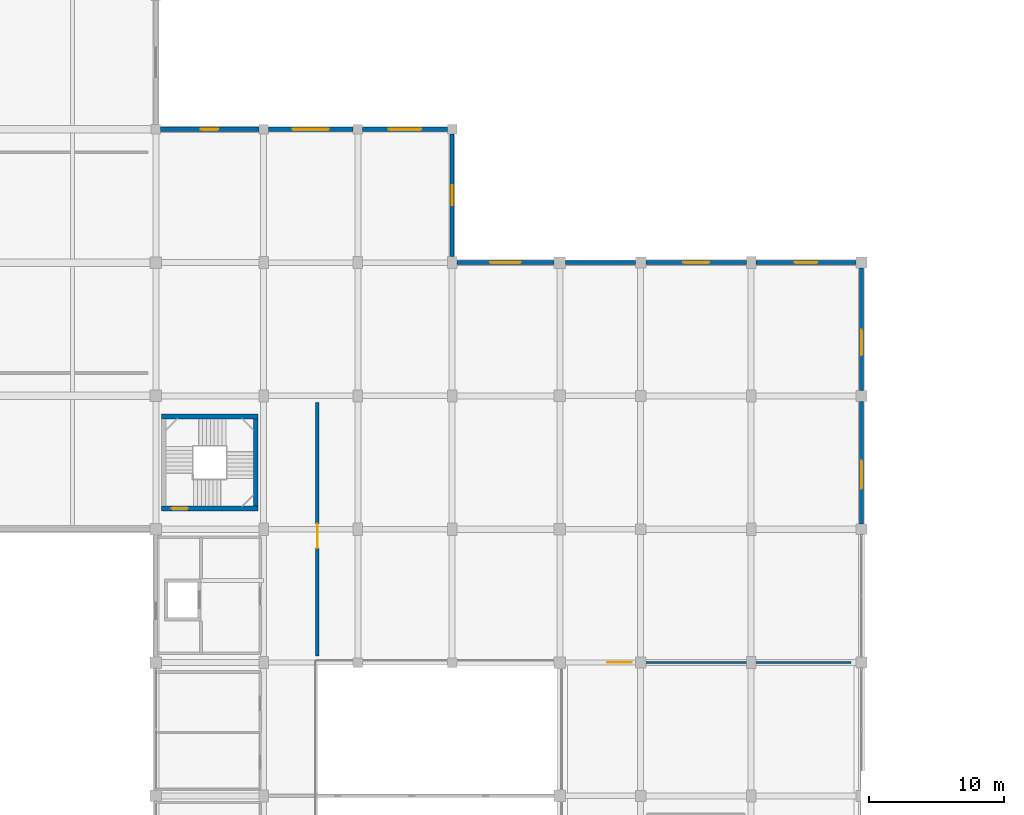
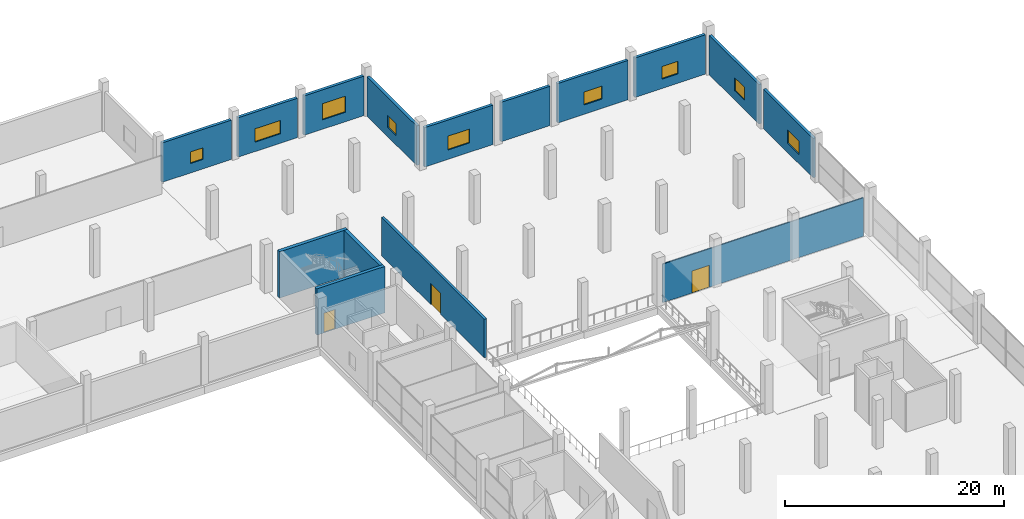
# One storey, part 47 of 74: 15 walls, 9 windows, 3 doors, 12 openings.
"""IFC4 building model written with IfcOpenShell, lengths in metres."""

from ifc_helpers import new_model, si_unit, direction, frame, frame_2d, origin, place, context, subcontext, project, spatial, rectangle, extrude, material, layer, layer_set, type_object, element, fill, save


model = new_model("IFC4")

# Units and contexts
model_context = context("Model", 3, precision=1e-05, world=origin(), true_north=direction((0.0, 1.0)))
body_context = subcontext(model_context, "Body", "Model", "MODEL_VIEW")
ifc_project = project(units=[si_unit("LENGTHUNIT", "METRE"), si_unit("AREAUNIT", "SQUARE_METRE"), si_unit("VOLUMEUNIT", "CUBIC_METRE"), si_unit("PLANEANGLEUNIT", "RADIAN"), si_unit("MASSUNIT", "GRAM", prefix="KILO")], contexts=[model_context])

# Site, building, storey
site_placement = place(None, origin())
site = spatial("IfcSite", under=ifc_project, at=site_placement, CompositionType="ELEMENT")
building_placement = place(site_placement, origin())
building = spatial("IfcBuilding", under=site, at=building_placement, Name="Sillaruma Civic Art Gallery", CompositionType="ELEMENT")
storey_placement = place(building_placement, frame((0.0, 0.0, 5.43994140625)))
storey = spatial("IfcBuildingStorey", under=building, at=storey_placement, Name="L01", CompositionType="ELEMENT", Elevation=5.43994140625)

# Wall, opening, door
ifc_material_1 = material(Name="Concrete H40 (40 MPa)", Category="concrete")
ifc_layer_1 = layer(ifc_material_1, 0.35009765625, Name="Concrete H40 (40 MPa)")
ifc_layer_set_1 = layer_set([ifc_layer_1], Name="Concrete H40 (40 MPa)")
wall_type_1 = type_object("IfcWallType", Name="WAL-CORE-350", PredefinedType="SHEAR", material=ifc_layer_set_1)
wall_1_placement = place(storey_placement, frame((62.409912109375, 80.735107421875, 0.0), z_axis=(0.0, 0.0, 1.0), x_axis=(1.0, 0.0, 0.0)))
wall_1 = element("IfcWall", 1, at=wall_1_placement, inside=storey, type_object=wall_type_1, Name="Stair Core Shear Wall W-CORE-350 (ST-02:L01:S)", PredefinedType="SHEAR", context=body_context, shape_type="SweptSolid", body=[
    extrude(rectangle(XDim=7.18017578125, YDim=0.35009765625, at=frame_2d((3.590087890625, 0.0))), origin(), (0.0, 0.0, 1.0), 5.18017578125),
])
opening_1_placement = place(wall_1_placement, frame((0.77001953125, 0.0, 0.0)))
opening_1 = element("IfcOpeningElement", 2, at=opening_1_placement, cuts=wall_1, Name="Opening D-STAIR", PredefinedType="OPENING", context=body_context, shape_type="SweptSolid", body=[
    extrude(rectangle(XDim=1.199951171875, YDim=2.199951171875, at=frame_2d((0.60009765625, 1.10009765625))), frame((0.0, 0.18505859375, 0.0), z_axis=(0.0, -1.0, 0.0), x_axis=(1.0, 0.0, 0.0)), (0.0, 0.0, 1.0), 0.3701171875),
])
ifc_material_2 = material(Name="Galvanised Steel ASTM A653 Gr.50", Category="steel")
door_type_1 = type_object("IfcDoorType", Name="DOR-STAIR-120", OperationType="NOTDEFINED", PredefinedType="DOOR", material=ifc_material_2)
door_1_placement = place(opening_1_placement, origin())
door_1 = element("IfcDoor", 3, at=door_1_placement, inside=storey, type_object=door_type_1, Name="Protected Stair Fire Door (ST-02:L01)", OperationType="SINGLE_SWING_LEFT", OverallHeight=2.199951171875, OverallWidth=1.199951171875, PredefinedType="DOOR", context=body_context, shape_type="SweptSolid", body=[
    extrude(rectangle(XDim=1.199951171875, YDim=2.199951171875, at=frame_2d((0.60009765625, 1.10009765625))), frame((0.0, 0.02490234375, 0.0), z_axis=(0.0, -1.0, 0.0), x_axis=(1.0, 0.0, 0.0)), (0.0, 0.0, 1.0), 0.050048828125),
])
fill(opening_1, door_1)

# Walls
wall_2_placement = place(storey_placement, frame((62.409912109375, 87.56494140625, 0.0), z_axis=(0.0, 0.0, 1.0), x_axis=(1.0, 0.0, 0.0)))
element("IfcWall", 4, at=wall_2_placement, inside=storey, type_object=wall_type_1, Name="Stair Core Shear Wall W-CORE-350 (ST-02:L01:N)", PredefinedType="SHEAR", context=body_context, shape_type="SweptSolid", body=[
    extrude(rectangle(XDim=7.18017578125, YDim=0.35009765625, at=frame_2d((3.590087890625, 0.0))), origin(), (0.0, 0.0, 1.0), 5.18017578125),
])
wall_3_placement = place(storey_placement, frame((69.4150390625, 80.909912109375, 0.0), z_axis=(0.0, 0.0, 1.0), x_axis=(0.0, 1.0, 0.0)))
element("IfcWall", 5, at=wall_3_placement, inside=storey, type_object=wall_type_1, Name="Stair Core Shear Wall W-CORE-350 (ST-02:L01:E)", PredefinedType="SHEAR", context=body_context, shape_type="SweptSolid", body=[
    extrude(rectangle(XDim=6.47998046875, YDim=0.35009765625, at=frame_2d((3.239990234375, 0.0))), origin(), (0.0, 0.0, 1.0), 5.18017578125),
])

# Wall, opening, window
ifc_material_3 = material(Name="Concrete H35 (35 MPa)", Category="concrete")
ifc_layer_2 = layer(ifc_material_3, 0.159912109375, Name="Concrete backup", Category="concrete")
ifc_material_4 = material(Name="Mineral Wool Thermal Insulation", Category="insulation")
ifc_layer_3 = layer(ifc_material_4, 0.090087890625, Name="Thermal insulation", Category="insulation")
ifc_material_5 = material(Name="Anodised Zinc-Aluminium Alloy", Category="aluminium")
ifc_layer_4 = layer(ifc_material_5, 0.030029296875, Name="Rainscreen finish", Category="aluminium")
ifc_layer_set_2 = layer_set([ifc_layer_2, ifc_layer_3, ifc_layer_4], Name="W-EXT-280")
wall_type_2 = type_object("IfcWallType", Name="WAL-EXT-280", PredefinedType="SOLIDWALL", material=ifc_layer_set_2)
wall_4_placement = place(storey_placement, frame((114.39990234375, 79.60009765625, 0.0), z_axis=(0.0, 0.0, 1.0), x_axis=(0.0, 1.0, 0.0)))
wall_4 = element("IfcWall", 6, at=wall_4_placement, inside=storey, type_object=wall_type_2, Name="Exterior Wall W-EXT-280 (EW-L01-SPE-7)", PredefinedType="SOLIDWALL", context=body_context, shape_type="SweptSolid", body=[
    extrude(rectangle(XDim=9.099853515625, YDim=0.280029296875, at=frame_2d((4.5498046875, 0.0))), origin(), (0.0, 0.0, 1.0), 4.400146484375),
])
opening_2_placement = place(wall_4_placement, frame((2.60009765625, 0.0, 1.050048828125)))
opening_2 = element("IfcOpeningElement", 7, at=opening_2_placement, cuts=wall_4, Name="Opening WN-13", PredefinedType="OPENING", context=body_context, shape_type="SweptSolid", body=[
    extrude(rectangle(XDim=2.10009765625, YDim=1.5, at=frame_2d((1.050048828125, 0.75))), frame((0.0, 0.14990234375, 0.0), z_axis=(0.0, -1.0, 0.0), x_axis=(1.0, 0.0, 0.0)), (0.0, 0.0, 1.0), 0.300048828125),
])
ifc_material_6 = material(Name="Thermally Broken Extruded Aluminium 6063-T6", Category="aluminium")
window_type_1 = type_object("IfcWindowType", Name="WIN-W13", PartitioningType="SINGLE_PANEL", PredefinedType="WINDOW", material=ifc_material_6)
window_1_placement = place(opening_2_placement, origin())
window_1 = element("IfcWindow", 8, at=window_1_placement, inside=storey, type_object=window_type_1, Name="Window WN-13 (EW-L01-SPE-7-1)", OverallHeight=1.5, OverallWidth=2.10009765625, PartitioningType="SINGLE_PANEL", PredefinedType="WINDOW", context=body_context, shape_type="SweptSolid", body=[
    extrude(rectangle(XDim=2.10009765625, YDim=1.5, at=frame_2d((1.050048828125, 0.75))), frame((0.0, 0.030029296875, 0.0), z_axis=(0.0, -1.0, 0.0), x_axis=(1.0, 0.0, 0.0)), (0.0, 0.0, 1.0), 0.06005859375),
])
fill(opening_2, window_1)

wall_5_placement = place(storey_placement, frame((114.39990234375, 89.5, 0.0), z_axis=(0.0, 0.0, 1.0), x_axis=(0.0, 1.0, 0.0)))
wall_5 = element("IfcWall", 9, at=wall_5_placement, inside=storey, type_object=wall_type_2, Name="Exterior Wall W-EXT-280 (EW-L01-SPE-8)", PredefinedType="SOLIDWALL", context=body_context, shape_type="SweptSolid", body=[
    extrude(rectangle(XDim=9.10009765625, YDim=0.280029296875, at=frame_2d((4.550048828125, 0.0))), origin(), (0.0, 0.0, 1.0), 4.400146484375),
])
opening_3_placement = place(wall_5_placement, frame((2.60009765625, 0.0, 1.050048828125)))
opening_3 = element("IfcOpeningElement", 10, at=opening_3_placement, cuts=wall_5, Name="Opening WN-14", PredefinedType="OPENING", context=body_context, shape_type="SweptSolid", body=[
    extrude(rectangle(XDim=1.89990234375, YDim=1.449951171875, at=frame_2d((0.949951171875, 0.72509765625))), frame((0.0, 0.14990234375, 0.0), z_axis=(0.0, -1.0, 0.0), x_axis=(1.0, 0.0, 0.0)), (0.0, 0.0, 1.0), 0.300048828125),
])
window_type_2 = type_object("IfcWindowType", Name="WIN-W14", PartitioningType="SINGLE_PANEL", PredefinedType="WINDOW", material=ifc_material_6)
window_2_placement = place(opening_3_placement, origin())
window_2 = element("IfcWindow", 11, at=window_2_placement, inside=storey, type_object=window_type_2, Name="Window WN-14 (EW-L01-SPE-8-1)", OverallHeight=1.449951171875, OverallWidth=1.89990234375, PartitioningType="SINGLE_PANEL", PredefinedType="WINDOW", context=body_context, shape_type="SweptSolid", body=[
    extrude(rectangle(XDim=1.89990234375, YDim=1.449951171875, at=frame_2d((0.949951171875, 0.72509765625))), frame((0.0, 0.030029296875, 0.0), z_axis=(0.0, -1.0, 0.0), x_axis=(1.0, 0.0, 0.0)), (0.0, 0.0, 1.0), 0.06005859375),
])
fill(opening_3, window_2)

ifc_material_7 = material(Name="Precast Concrete H35 (35 MPa)", Category="concrete")
ifc_layer_5 = layer(ifc_material_7, 0.179931640625, Name="Precast backup", Category="concrete")
ifc_layer_6 = layer(ifc_material_4, 0.090087890625, Name="Thermal insulation", Category="insulation")
ifc_material_8 = material(Name="Comanche Granitic Ashlar Stone", Category="masonry")
ifc_layer_7 = layer(ifc_material_8, 0.030029296875, Name="Rainscreen cladding", Category="masonry")
ifc_layer_set_3 = layer_set([ifc_layer_5, ifc_layer_6, ifc_layer_7], Name="W-EXT-300")
wall_type_3 = type_object("IfcWallType", Name="WAL-EXT-300", PredefinedType="SOLIDWALL", material=ifc_layer_set_3)
wall_6_placement = place(storey_placement, frame((84.35009765625, 99.0, 0.0), z_axis=(0.0, 0.0, 1.0), x_axis=(1.0, 0.0, 0.0)))
wall_6 = element("IfcWall", 12, at=wall_6_placement, inside=storey, type_object=wall_type_3, Name="Exterior Wall W-EXT-300 (EW-L01-PNE-JK)", PredefinedType="SOLIDWALL", context=body_context, shape_type="SweptSolid", body=[
    extrude(rectangle(XDim=7.224853515625, YDim=0.300048828125, at=frame_2d((3.6123046875, 0.0))), origin(), (0.0, 0.0, 1.0), 4.400146484375),
])
opening_4_placement = place(wall_6_placement, frame((2.4619140625, 0.0, 1.050048828125)))
opening_4 = element("IfcOpeningElement", 13, at=opening_4_placement, cuts=wall_6, Name="Opening WN-12", PredefinedType="OPENING", context=body_context, shape_type="SweptSolid", body=[
    extrude(rectangle(XDim=2.300048828125, YDim=1.550048828125, at=frame_2d((1.14990234375, 0.77490234375))), frame((0.0, 0.159912109375, 0.0), z_axis=(0.0, -1.0, 0.0), x_axis=(1.0, 0.0, 0.0)), (0.0, 0.0, 1.0), 0.320068359375),
])
window_type_3 = type_object("IfcWindowType", Name="WIN-W12", PartitioningType="SINGLE_PANEL", PredefinedType="WINDOW", material=ifc_material_6)
window_3_placement = place(opening_4_placement, origin())
window_3 = element("IfcWindow", 14, at=window_3_placement, inside=storey, type_object=window_type_3, Name="Window WN-12 (EW-L01-PNE-JK-1)", OverallHeight=1.550048828125, OverallWidth=2.300048828125, PartitioningType="SINGLE_PANEL", PredefinedType="WINDOW", context=body_context, shape_type="SweptSolid", body=[
    extrude(rectangle(XDim=2.300048828125, YDim=1.550048828125, at=frame_2d((1.14990234375, 0.77490234375))), frame((0.0, 0.030029296875, 0.0), z_axis=(0.0, -1.0, 0.0), x_axis=(1.0, 0.0, 0.0)), (0.0, 0.0, 1.0), 0.06005859375),
])
fill(opening_4, window_3)

# Wall
wall_7_placement = place(storey_placement, frame((92.425048828125, 99.0, 0.0), z_axis=(0.0, 0.0, 1.0), x_axis=(1.0, 0.0, 0.0)))
element("IfcWall", 15, at=wall_7_placement, inside=storey, type_object=wall_type_3, Name="Exterior Wall W-EXT-300 (EW-L01-PNE-KL)", PredefinedType="SOLIDWALL", context=body_context, shape_type="SweptSolid", body=[
    extrude(rectangle(XDim=5.175048828125, YDim=0.300048828125, at=frame_2d((2.58740234375, 0.0))), origin(), (0.0, 0.0, 1.0), 4.400146484375),
])

# Wall, opening, window
wall_8_placement = place(storey_placement, frame((98.39990234375, 99.0, 0.0), z_axis=(0.0, 0.0, 1.0), x_axis=(1.0, 0.0, 0.0)))
wall_8 = element("IfcWall", 16, at=wall_8_placement, inside=storey, type_object=wall_type_3, Name="Exterior Wall W-EXT-300 (EW-L01-PNE-LM)", PredefinedType="SOLIDWALL", context=body_context, shape_type="SweptSolid", body=[
    extrude(rectangle(XDim=7.4501953125, YDim=0.300048828125, at=frame_2d((3.72509765625, 0.0))), origin(), (0.0, 0.0, 1.0), 4.400146484375),
])
opening_5_placement = place(wall_8_placement, frame((2.77490234375, 0.0, 1.050048828125)))
opening_5 = element("IfcOpeningElement", 17, at=opening_5_placement, cuts=wall_8, Name="Opening WN-14", PredefinedType="OPENING", context=body_context, shape_type="SweptSolid", body=[
    extrude(rectangle(XDim=1.89990234375, YDim=1.449951171875, at=frame_2d((0.949951171875, 0.72509765625))), frame((0.0, 0.159912109375, 0.0), z_axis=(0.0, -1.0, 0.0), x_axis=(1.0, 0.0, 0.0)), (0.0, 0.0, 1.0), 0.320068359375),
])
window_4_placement = place(opening_5_placement, origin())
window_4 = element("IfcWindow", 18, at=window_4_placement, inside=storey, type_object=window_type_2, Name="Window WN-14 (EW-L01-PNE-LM-1)", OverallHeight=1.449951171875, OverallWidth=1.89990234375, PartitioningType="SINGLE_PANEL", PredefinedType="WINDOW", context=body_context, shape_type="SweptSolid", body=[
    extrude(rectangle(XDim=1.89990234375, YDim=1.449951171875, at=frame_2d((0.949951171875, 0.72509765625))), frame((0.0, 0.030029296875, 0.0), z_axis=(0.0, -1.0, 0.0), x_axis=(1.0, 0.0, 0.0)), (0.0, 0.0, 1.0), 0.06005859375),
])
fill(opening_5, window_4)

wall_9_placement = place(storey_placement, frame((106.550048828125, 99.0, 0.0), z_axis=(0.0, 0.0, 1.0), x_axis=(1.0, 0.0, 0.0)))
wall_9 = element("IfcWall", 19, at=wall_9_placement, inside=storey, type_object=wall_type_3, Name="Exterior Wall W-EXT-300 (EW-L01-PNE-MN)", PredefinedType="SOLIDWALL", context=body_context, shape_type="SweptSolid", body=[
    extrude(rectangle(XDim=7.449951171875, YDim=0.300048828125, at=frame_2d((3.72509765625, 0.0))), origin(), (0.0, 0.0, 1.0), 4.400146484375),
])
opening_6_placement = place(wall_9_placement, frame((2.875, 0.0, 1.050048828125)))
opening_6 = element("IfcOpeningElement", 20, at=opening_6_placement, cuts=wall_9, Name="Opening WN-15", PredefinedType="OPENING", context=body_context, shape_type="SweptSolid", body=[
    extrude(rectangle(XDim=1.699951171875, YDim=1.39990234375, at=frame_2d((0.85009765625, 0.699951171875))), frame((0.0, 0.159912109375, 0.0), z_axis=(0.0, -1.0, 0.0), x_axis=(1.0, 0.0, 0.0)), (0.0, 0.0, 1.0), 0.320068359375),
])
window_type_4 = type_object("IfcWindowType", Name="WIN-W15", PartitioningType="SINGLE_PANEL", PredefinedType="WINDOW", material=ifc_material_6)
window_5_placement = place(opening_6_placement, origin())
window_5 = element("IfcWindow", 21, at=window_5_placement, inside=storey, type_object=window_type_4, Name="Window WN-15 (EW-L01-PNE-MN-1)", OverallHeight=1.39990234375, OverallWidth=1.699951171875, PartitioningType="SINGLE_PANEL", PredefinedType="WINDOW", context=body_context, shape_type="SweptSolid", body=[
    extrude(rectangle(XDim=1.699951171875, YDim=1.39990234375, at=frame_2d((0.85009765625, 0.699951171875))), frame((0.0, 0.030029296875, 0.0), z_axis=(0.0, -1.0, 0.0), x_axis=(1.0, 0.0, 0.0)), (0.0, 0.0, 1.0), 0.06005859375),
])
fill(opening_6, window_5)

wall_10_placement = place(storey_placement, frame((84.0, 99.449951171875, 0.0), z_axis=(0.0, 0.0, 1.0), x_axis=(0.0, 1.0, 0.0)))
wall_10 = element("IfcWall", 22, at=wall_10_placement, inside=storey, type_object=wall_type_3, Name="Exterior Wall W-EXT-300 (EW-L01-PNE-W)", PredefinedType="SOLIDWALL", context=body_context, shape_type="SweptSolid", body=[
    extrude(rectangle(XDim=9.10009765625, YDim=0.300048828125, at=frame_2d((4.550048828125, 0.0))), origin(), (0.0, 0.0, 1.0), 4.400146484375),
])
opening_7_placement = place(wall_10_placement, frame((3.800048828125, 0.0, 1.050048828125)))
opening_7 = element("IfcOpeningElement", 23, at=opening_7_placement, cuts=wall_10, Name="Opening WN-16", PredefinedType="OPENING", context=body_context, shape_type="SweptSolid", body=[
    extrude(rectangle(XDim=1.5, YDim=1.35009765625, at=frame_2d((0.75, 0.675048828125))), frame((0.0, 0.159912109375, 0.0), z_axis=(0.0, -1.0, 0.0), x_axis=(1.0, 0.0, 0.0)), (0.0, 0.0, 1.0), 0.320068359375),
])
window_type_5 = type_object("IfcWindowType", Name="WIN-W16", PartitioningType="SINGLE_PANEL", PredefinedType="WINDOW", material=ifc_material_6)
window_6_placement = place(opening_7_placement, origin())
window_6 = element("IfcWindow", 24, at=window_6_placement, inside=storey, type_object=window_type_5, Name="Window WN-16 (EW-L01-PNE-W-1)", OverallHeight=1.35009765625, OverallWidth=1.5, PartitioningType="SINGLE_PANEL", PredefinedType="WINDOW", context=body_context, shape_type="SweptSolid", body=[
    extrude(rectangle(XDim=1.5, YDim=1.35009765625, at=frame_2d((0.75, 0.675048828125))), frame((0.0, 0.030029296875, 0.0), z_axis=(0.0, -1.0, 0.0), x_axis=(1.0, 0.0, 0.0)), (0.0, 0.0, 1.0), 0.06005859375),
])
fill(opening_7, window_6)

wall_11_placement = place(storey_placement, frame((62.35009765625, 108.89990234375, 0.0), z_axis=(0.0, 0.0, 1.0), x_axis=(1.0, 0.0, 0.0)))
wall_11 = element("IfcWall", 25, at=wall_11_placement, inside=storey, type_object=wall_type_3, Name="Exterior Wall W-EXT-300 (EW-L01-PNW-FG)", PredefinedType="SOLIDWALL", context=body_context, shape_type="SweptSolid", body=[
    extrude(rectangle(XDim=7.2998046875, YDim=0.300048828125, at=frame_2d((3.64990234375, 0.0))), origin(), (0.0, 0.0, 1.0), 4.400146484375),
])
opening_8_placement = place(wall_11_placement, frame((3.0, 0.0, 1.050048828125)))
opening_8 = element("IfcOpeningElement", 26, at=opening_8_placement, cuts=wall_11, Name="Opening WN-17", PredefinedType="OPENING", context=body_context, shape_type="SweptSolid", body=[
    extrude(rectangle(XDim=1.300048828125, YDim=1.300048828125, at=frame_2d((0.64990234375, 0.64990234375))), frame((0.0, 0.159912109375, 0.0), z_axis=(0.0, -1.0, 0.0), x_axis=(1.0, 0.0, 0.0)), (0.0, 0.0, 1.0), 0.320068359375),
])
window_type_6 = type_object("IfcWindowType", Name="WIN-W17", PartitioningType="SINGLE_PANEL", PredefinedType="WINDOW", material=ifc_material_6)
window_7_placement = place(opening_8_placement, origin())
window_7 = element("IfcWindow", 27, at=window_7_placement, inside=storey, type_object=window_type_6, Name="Window WN-17 (EW-L01-PNW-FG-1)", OverallHeight=1.300048828125, OverallWidth=1.300048828125, PartitioningType="SINGLE_PANEL", PredefinedType="WINDOW", context=body_context, shape_type="SweptSolid", body=[
    extrude(rectangle(XDim=1.300048828125, YDim=1.300048828125, at=frame_2d((0.64990234375, 0.64990234375))), frame((0.0, 0.030029296875, 0.0), z_axis=(0.0, -1.0, 0.0), x_axis=(1.0, 0.0, 0.0)), (0.0, 0.0, 1.0), 0.06005859375),
])
fill(opening_8, window_7)

wall_12_placement = place(storey_placement, frame((70.35009765625, 108.89990234375, 0.0), z_axis=(0.0, 0.0, 1.0), x_axis=(1.0, 0.0, 0.0)))
wall_12 = element("IfcWall", 28, at=wall_12_placement, inside=storey, type_object=wall_type_3, Name="Exterior Wall W-EXT-300 (EW-L01-PNW-GH)", PredefinedType="SOLIDWALL", context=body_context, shape_type="SweptSolid", body=[
    extrude(rectangle(XDim=6.2998046875, YDim=0.300048828125, at=frame_2d((3.14990234375, 0.0))), origin(), (0.0, 0.0, 1.0), 4.400146484375),
])
opening_9_placement = place(wall_12_placement, frame((1.800048828125, 0.0, 1.050048828125)))
opening_9 = element("IfcOpeningElement", 29, at=opening_9_placement, cuts=wall_12, Name="Opening WN-18", PredefinedType="OPENING", context=body_context, shape_type="SweptSolid", body=[
    extrude(rectangle(XDim=2.699951171875, YDim=1.5, at=frame_2d((1.35009765625, 0.75))), frame((0.0, 0.159912109375, 0.0), z_axis=(0.0, -1.0, 0.0), x_axis=(1.0, 0.0, 0.0)), (0.0, 0.0, 1.0), 0.320068359375),
])
window_type_7 = type_object("IfcWindowType", Name="WIN-W18", PartitioningType="SINGLE_PANEL", PredefinedType="WINDOW", material=ifc_material_6)
window_8_placement = place(opening_9_placement, origin())
window_8 = element("IfcWindow", 30, at=window_8_placement, inside=storey, type_object=window_type_7, Name="Window WN-18 (EW-L01-PNW-GH-1)", OverallHeight=1.5, OverallWidth=2.699951171875, PartitioningType="SINGLE_PANEL", PredefinedType="WINDOW", context=body_context, shape_type="SweptSolid", body=[
    extrude(rectangle(XDim=2.699951171875, YDim=1.5, at=frame_2d((1.35009765625, 0.75))), frame((0.0, 0.030029296875, 0.0), z_axis=(0.0, -1.0, 0.0), x_axis=(1.0, 0.0, 0.0)), (0.0, 0.0, 1.0), 0.06005859375),
])
fill(opening_9, window_8)

wall_13_placement = place(storey_placement, frame((77.35009765625, 108.89990234375, 0.0), z_axis=(0.0, 0.0, 1.0), x_axis=(1.0, 0.0, 0.0)))
wall_13 = element("IfcWall", 31, at=wall_13_placement, inside=storey, type_object=wall_type_3, Name="Exterior Wall W-EXT-300 (EW-L01-PNW-HJ)", PredefinedType="SOLIDWALL", context=body_context, shape_type="SweptSolid", body=[
    extrude(rectangle(XDim=6.2998046875, YDim=0.300048828125, at=frame_2d((3.14990234375, 0.0))), origin(), (0.0, 0.0, 1.0), 4.400146484375),
])
opening_10_placement = place(wall_13_placement, frame((1.949951171875, 0.0, 1.050048828125)))
opening_10 = element("IfcOpeningElement", 32, at=opening_10_placement, cuts=wall_13, Name="Opening WN-01", PredefinedType="OPENING", context=body_context, shape_type="SweptSolid", body=[
    extrude(rectangle(XDim=2.39990234375, YDim=1.800048828125, at=frame_2d((1.199951171875, 0.89990234375))), frame((0.0, 0.159912109375, 0.0), z_axis=(0.0, -1.0, 0.0), x_axis=(1.0, 0.0, 0.0)), (0.0, 0.0, 1.0), 0.320068359375),
])
window_type_8 = type_object("IfcWindowType", Name="WIN-W01", PartitioningType="SINGLE_PANEL", PredefinedType="WINDOW", material=ifc_material_6)
window_9_placement = place(opening_10_placement, origin())
window_9 = element("IfcWindow", 33, at=window_9_placement, inside=storey, type_object=window_type_8, Name="Window WN-01 (EW-L01-PNW-HJ-1)", OverallHeight=1.800048828125, OverallWidth=2.39990234375, PartitioningType="SINGLE_PANEL", PredefinedType="WINDOW", context=body_context, shape_type="SweptSolid", body=[
    extrude(rectangle(XDim=2.39990234375, YDim=1.800048828125, at=frame_2d((1.199951171875, 0.89990234375))), frame((0.0, 0.030029296875, 0.0), z_axis=(0.0, -1.0, 0.0), x_axis=(1.0, 0.0, 0.0)), (0.0, 0.0, 1.0), 0.06005859375),
])
fill(opening_10, window_9)

# Wall, opening, door
ifc_material_9 = material(Name="Gypsum Acoustic Board", Category="gypsum")
ifc_layer_8 = layer(ifc_material_9, 0.02490234375, Name="Finish board", Category="gypsum")
ifc_layer_9 = layer(ifc_material_4, 0.070068359375, Name="Acoustic core", Category="insulation")
ifc_material_10 = material(Name="Andean Oak Timber", Category="wood")
ifc_layer_10 = layer(ifc_material_10, 0.02490234375, Name="Gallery lining", Category="wood")
ifc_layer_set_4 = layer_set([ifc_layer_8, ifc_layer_9, ifc_layer_10], Name="W-PT-120")
wall_type_4 = type_object("IfcWallType", Name="WAL-PART-120", PredefinedType="PARTITIONING", material=ifc_layer_set_4)
wall_14_placement = place(storey_placement, frame((92.39990234375, 69.300048828125, 0.0), z_axis=(0.0, 0.0, 1.0), x_axis=(1.0, 0.0, 0.0)))
wall_14 = element("IfcWall", 34, at=wall_14_placement, inside=storey, type_object=wall_type_4, Name="Interior Wall W-PT-120 (L01-GAL12)", PredefinedType="PARTITIONING", context=body_context, shape_type="SweptSolid", body=[
    extrude(rectangle(XDim=21.2001953125, YDim=0.1201171875, at=frame_2d((10.60009765625, 0.0))), origin(), (0.0, 0.0, 1.0), 4.300048828125),
])
opening_11_placement = place(wall_14_placement, frame((3.1201171875, 0.0, 0.0)))
opening_11 = element("IfcOpeningElement", 35, at=opening_11_placement, cuts=wall_14, Name="Opening D-GAL18", PredefinedType="OPENING", context=body_context, shape_type="SweptSolid", body=[
    extrude(rectangle(XDim=1.800048828125, YDim=2.449951171875, at=frame_2d((0.89990234375, 1.22509765625))), frame((0.0, 0.070068359375, 0.0), z_axis=(0.0, -1.0, 0.0), x_axis=(1.0, 0.0, 0.0)), (0.0, 0.0, 1.0), 0.14013671875),
])
door_type_2 = type_object("IfcDoorType", Name="DOR-GAL-180", OperationType="NOTDEFINED", PredefinedType="DOOR", material=ifc_material_10)
door_2_placement = place(opening_11_placement, origin())
door_2 = element("IfcDoor", 36, at=door_2_placement, inside=storey, type_object=door_type_2, Name="Sculpture Court Upper Overlook Gallery Door (D-GAL18)", OperationType="DOUBLE_DOOR_SINGLE_SWING", OverallHeight=2.449951171875, OverallWidth=1.800048828125, PredefinedType="DOOR", context=body_context, shape_type="SweptSolid", body=[
    extrude(rectangle(XDim=1.800048828125, YDim=2.449951171875, at=frame_2d((0.89990234375, 1.22509765625))), frame((0.0, 0.02490234375, 0.0), z_axis=(0.0, -1.0, 0.0), x_axis=(1.0, 0.0, 0.0)), (0.0, 0.0, 1.0), 0.050048828125),
])
fill(opening_11, door_2)

ifc_material_11 = material(Name="Concrete Masonry Unit Grade M15", Category="masonry")
ifc_layer_11 = layer(ifc_material_11, 0.2548828125, Name="Concrete Masonry Unit Grade M15")
ifc_layer_set_5 = layer_set([ifc_layer_11], Name="Concrete Masonry Unit Grade M15")
wall_type_5 = type_object("IfcWallType", Name="WAL-STORE-250", PredefinedType="SOLIDWALL", material=ifc_layer_set_5)
wall_15_placement = place(storey_placement, frame((74.0, 69.800048828125, 0.0), z_axis=(0.0, 0.0, 1.0), x_axis=(0.0, 1.0, 0.0)))
wall_15 = element("IfcWall", 37, at=wall_15_placement, inside=storey, type_object=wall_type_5, Name="Interior Wall W-STORE-250 (L01-STR11)", PredefinedType="SOLIDWALL", context=body_context, shape_type="SweptSolid", body=[
    extrude(rectangle(XDim=18.800048828125, YDim=0.2548828125, at=frame_2d((9.39990234375, 0.0))), origin(), (0.0, 0.0, 1.0), 4.300048828125),
])
opening_12_placement = place(wall_15_placement, frame((8.0, 0.0, 0.0)))
opening_12 = element("IfcOpeningElement", 38, at=opening_12_placement, cuts=wall_15, Name="Opening D-STR18", PredefinedType="OPENING", context=body_context, shape_type="SweptSolid", body=[
    extrude(rectangle(XDim=1.800048828125, YDim=2.35009765625, at=frame_2d((0.89990234375, 1.175048828125))), frame((0.0, 0.137451171875, 0.0), z_axis=(0.0, -1.0, 0.0), x_axis=(1.0, 0.0, 0.0)), (0.0, 0.0, 1.0), 0.27490234375),
])
door_type_3 = type_object("IfcDoorType", Name="DOR-STORE-180", OperationType="NOTDEFINED", PredefinedType="DOOR", material=ifc_material_2)
door_3_placement = place(opening_12_placement, origin())
door_3 = element("IfcDoor", 39, at=door_3_placement, inside=storey, type_object=door_type_3, Name="Podium Exhibition Preparation Art Store Door (D-STR18)", OperationType="DOUBLE_DOOR_SINGLE_SWING", OverallHeight=2.35009765625, OverallWidth=1.800048828125, PredefinedType="DOOR", context=body_context, shape_type="SweptSolid", body=[
    extrude(rectangle(XDim=1.800048828125, YDim=2.35009765625, at=frame_2d((0.89990234375, 1.175048828125))), frame((0.0, 0.02490234375, 0.0), z_axis=(0.0, -1.0, 0.0), x_axis=(1.0, 0.0, 0.0)), (0.0, 0.0, 1.0), 0.050048828125),
])
fill(opening_12, door_3)

save(model, "model.ifc")
